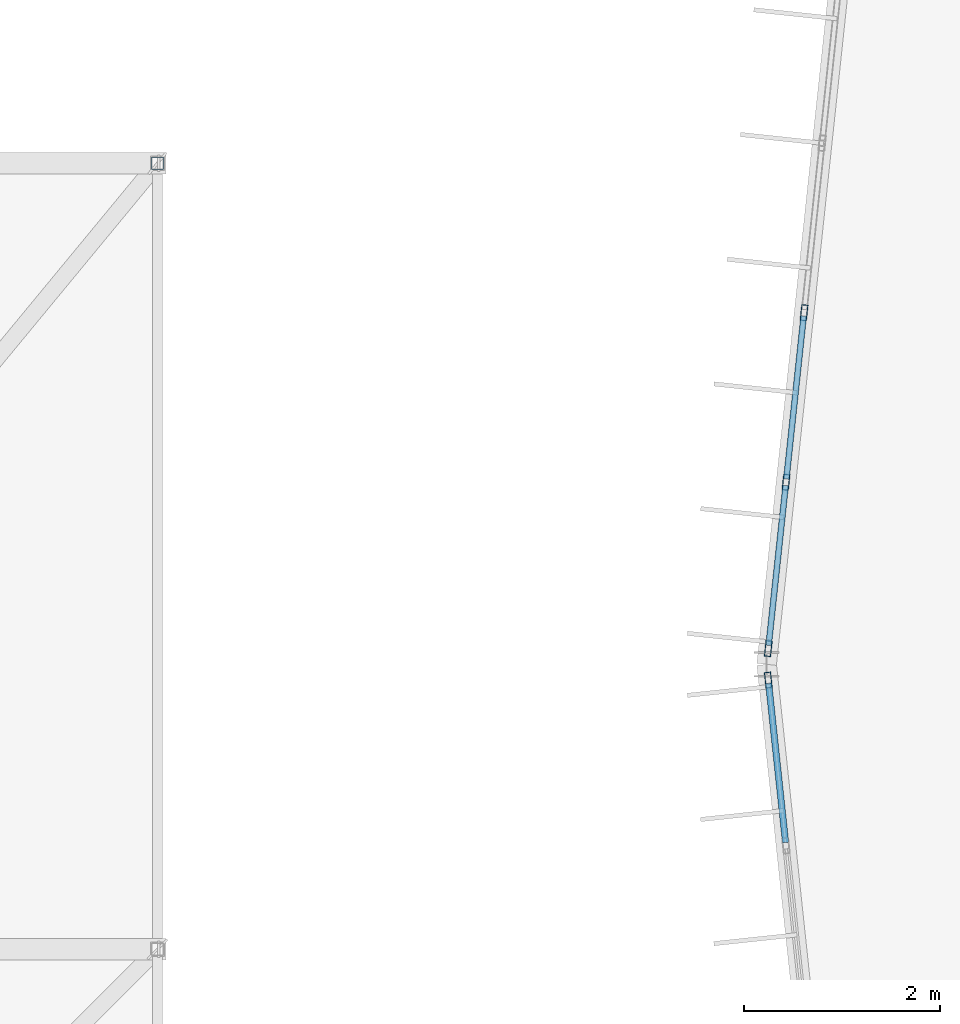
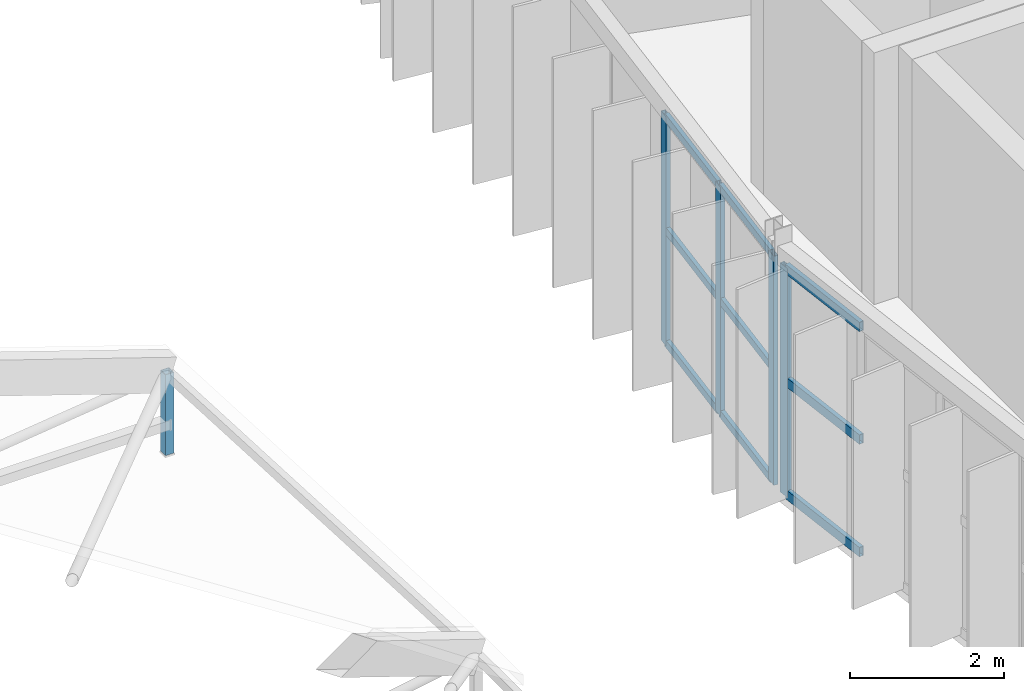
# One storey, part 38 of 134: 14 members, 2 elements without a shape of their own.
"""IFC4 building model written with IfcOpenShell, lengths in metres."""

from ifc_helpers import new_model, si_unit, direction, frame, origin, origin_2d, place, context, subcontext, project, spatial, hollow_rectangle, extrude, material, material_profile, profile_set, type_object, element, aggregate, save


model = new_model("IFC4")

# Units and contexts
model_context = context("Model", 3, precision=1e-05, world=origin(), true_north=direction((0.0, 1.0)))
body_context = subcontext(model_context, "Body", "Model", "MODEL_VIEW")
ifc_project = project(units=[si_unit("LENGTHUNIT", "METRE"), si_unit("AREAUNIT", "SQUARE_METRE"), si_unit("VOLUMEUNIT", "CUBIC_METRE"), si_unit("PLANEANGLEUNIT", "RADIAN"), si_unit("MASSUNIT", "GRAM", prefix="KILO")], contexts=[model_context])

# Site, building, storey
site_placement = place(None, origin())
site = spatial("IfcSite", under=ifc_project, at=site_placement, CompositionType="ELEMENT")
building_placement = place(site_placement, origin())
building = spatial("IfcBuilding", under=site, at=building_placement, Name="Karori Crest Natural Sciences Institute", CompositionType="ELEMENT")
storey_placement = place(building_placement, frame((0.0, 0.0, 21.699951171875)))
storey = spatial("IfcBuildingStorey", under=building, at=storey_placement, Name="L05", CompositionType="ELEMENT", Elevation=21.699951171875)

# Curtain wall, members
ifc_material_1 = material(Name="Anodised architectural aluminium 6063-T6", Category="aluminium")
curtain_wall_type_1 = type_object("IfcCurtainWallType", Name="CWT-02", PredefinedType="NOTDEFINED", material=ifc_material_1)
curtain_wall_1_placement = place(storey_placement, origin())
curtain_wall_1 = element("IfcCurtainWall", 1, at=curtain_wall_1_placement, inside=storey, type_object=curtain_wall_type_1, Name="Curtain wall CW-0189", PredefinedType="NOTDEFINED")
ifc_material_profile_1 = material_profile(ifc_material_1, hollow_rectangle(XDim=0.06494140625, YDim=0.159912109375, WallThickness=0.00390625, at=origin_2d()), Name="CWM160x65x4")
ifc_profile_set_1 = profile_set([ifc_material_profile_1], Name="Anodised architectural aluminium 6063-T6")
member_type_1 = type_object("IfcMemberType", Name="CWM-01", PredefinedType="MULLION", material=ifc_profile_set_1)
member_1_placement = place(storey_placement, frame((33.4169921875, 50.060302734375, 0.0), z_axis=(0.0, 0.0, 1.0), x_axis=(-0.994378309998, 0.105885677057, 0.0)))
member_1 = element("IfcMember", 2, at=member_1_placement, type_object=member_type_1, Name="CW-0189 mullion 1", PredefinedType="MULLION", context=body_context, shape_type="SweptSolid", body=[
    extrude(hollow_rectangle(XDim=0.06494140625, YDim=0.159912109375, WallThickness=0.00390625, at=origin_2d()), origin(), (0.0, 0.0, 1.0), 3.625),
])
member_2_placement = place(storey_placement, frame((33.597412109375, 51.75341796875, 0.0), z_axis=(0.0, 0.0, 1.0), x_axis=(-0.994378309998, 0.105885677057, 0.0)))
member_2 = element("IfcMember", 3, at=member_2_placement, type_object=member_type_1, Name="CW-0189 mullion 2", PredefinedType="MULLION", context=body_context, shape_type="SweptSolid", body=[
    extrude(hollow_rectangle(XDim=0.06494140625, YDim=0.159912109375, WallThickness=0.00390625, at=origin_2d()), origin(), (0.0, 0.0, 1.0), 3.625),
])
member_3_placement = place(storey_placement, frame((33.781005859375, 53.47900390625, 0.0), z_axis=(0.0, 0.0, 1.0), x_axis=(-0.994378309998, 0.105885677057, 0.0)))
member_3 = element("IfcMember", 4, at=member_3_placement, type_object=member_type_1, Name="CW-0189 mullion 3", PredefinedType="MULLION", context=body_context, shape_type="SweptSolid", body=[
    extrude(hollow_rectangle(XDim=0.06494140625, YDim=0.159912109375, WallThickness=0.00390625, at=origin_2d()), origin(), (0.0, 0.0, 1.0), 3.625),
])

# Curtain wall, member
curtain_wall_type_2 = type_object("IfcCurtainWallType", Name="CWT-03", PredefinedType="NOTDEFINED", material=ifc_material_1)
curtain_wall_2_placement = place(storey_placement, origin())
curtain_wall_2 = element("IfcCurtainWall", 5, at=curtain_wall_2_placement, inside=storey, type_object=curtain_wall_type_2, Name="Curtain wall CW-0190", PredefinedType="NOTDEFINED")
member_4_placement = place(storey_placement, frame((33.4169921875, 49.73974609375, 0.0), z_axis=(0.0, 0.0, 1.0), x_axis=(-0.994378435661, -0.105884496939, 0.0)))
member_4 = element("IfcMember", 6, at=member_4_placement, type_object=member_type_1, Name="CW-0190 mullion 7", PredefinedType="MULLION", context=body_context, shape_type="SweptSolid", body=[
    extrude(hollow_rectangle(XDim=0.06494140625, YDim=0.159912109375, WallThickness=0.00390625, at=origin_2d()), origin(), (0.0, 0.0, 1.0), 3.625),
])

# Member
ifc_material_profile_2 = material_profile(ifc_material_1, hollow_rectangle(XDim=0.06005859375, YDim=0.1201171875, WallThickness=0.00390625, at=origin_2d()), Name="CWT120x60x4")
ifc_profile_set_2 = profile_set([ifc_material_profile_2], Name="Anodised architectural aluminium 6063-T6")
member_type_2 = type_object("IfcMemberType", Name="CWT-TR1", PredefinedType="USERDEFINED", material=ifc_profile_set_2)
member_5_placement = place(storey_placement, frame((33.42041015625, 50.092529296875, 0.030029296875), z_axis=(0.1059804823, 0.994368210157, 0.0), x_axis=(-0.994368210157, 0.1059804823, 0.0)))
member_5 = element("IfcMember", 7, at=member_5_placement, type_object=member_type_2, Name="CW-0189 transom 1.1", ObjectType="TRANSOM", PredefinedType="USERDEFINED", context=body_context, shape_type="SweptSolid", body=[
    extrude(hollow_rectangle(XDim=0.06005859375, YDim=0.1201171875, WallThickness=0.00390625, at=origin_2d()), origin(), (0.0, 0.0, 1.0), 1.637939453125),
])

member_6_placement = place(storey_placement, frame((33.42041015625, 50.092529296875, 1.8125), z_axis=(0.1059804823, 0.994368210157, 0.0), x_axis=(-0.994368210157, 0.1059804823, 0.0)))
member_6 = element("IfcMember", 8, at=member_6_placement, type_object=member_type_2, Name="CW-0189 transom 1.2", ObjectType="TRANSOM", PredefinedType="USERDEFINED", context=body_context, shape_type="SweptSolid", body=[
    extrude(hollow_rectangle(XDim=0.06005859375, YDim=0.1201171875, WallThickness=0.00390625, at=origin_2d()), origin(), (0.0, 0.0, 1.0), 1.637939453125),
])

member_7_placement = place(storey_placement, frame((33.42041015625, 50.092529296875, 3.594970703125), z_axis=(0.1059804823, 0.994368210157, 0.0), x_axis=(-0.994368210157, 0.1059804823, 0.0)))
member_7 = element("IfcMember", 9, at=member_7_placement, type_object=member_type_2, Name="CW-0189 transom 1.3", ObjectType="TRANSOM", PredefinedType="USERDEFINED", context=body_context, shape_type="SweptSolid", body=[
    extrude(hollow_rectangle(XDim=0.06005859375, YDim=0.1201171875, WallThickness=0.00390625, at=origin_2d()), origin(), (0.0, 0.0, 1.0), 1.637939453125),
])

member_8_placement = place(storey_placement, frame((33.600830078125, 51.785888671875, 0.030029296875), z_axis=(0.105841415473, 0.994383022165, 0.0), x_axis=(-0.994383022165, 0.105841415473, 0.0)))
member_8 = element("IfcMember", 10, at=member_8_placement, type_object=member_type_2, Name="CW-0189 transom 2.1", ObjectType="TRANSOM", PredefinedType="USERDEFINED", context=body_context, shape_type="SweptSolid", body=[
    extrude(hollow_rectangle(XDim=0.06005859375, YDim=0.1201171875, WallThickness=0.00390625, at=origin_2d()), origin(), (0.0, 0.0, 1.0), 1.669921875),
])

member_9_placement = place(storey_placement, frame((33.600830078125, 51.785888671875, 1.8125), z_axis=(0.105841415473, 0.994383022165, 0.0), x_axis=(-0.994383022165, 0.105841415473, 0.0)))
member_9 = element("IfcMember", 11, at=member_9_placement, type_object=member_type_2, Name="CW-0189 transom 2.2", ObjectType="TRANSOM", PredefinedType="USERDEFINED", context=body_context, shape_type="SweptSolid", body=[
    extrude(hollow_rectangle(XDim=0.06005859375, YDim=0.1201171875, WallThickness=0.00390625, at=origin_2d()), origin(), (0.0, 0.0, 1.0), 1.669921875),
])

member_10_placement = place(storey_placement, frame((33.600830078125, 51.785888671875, 3.594970703125), z_axis=(0.105841415473, 0.994383022165, 0.0), x_axis=(-0.994383022165, 0.105841415473, 0.0)))
member_10 = element("IfcMember", 12, at=member_10_placement, type_object=member_type_2, Name="CW-0189 transom 2.3", ObjectType="TRANSOM", PredefinedType="USERDEFINED", context=body_context, shape_type="SweptSolid", body=[
    extrude(hollow_rectangle(XDim=0.06005859375, YDim=0.1201171875, WallThickness=0.00390625, at=origin_2d()), origin(), (0.0, 0.0, 1.0), 1.669921875),
])

aggregate(curtain_wall_1, [member_1, member_2, member_3, member_5, member_6, member_7, member_8, member_9, member_10])

ifc_material_profile_3 = material_profile(ifc_material_1, hollow_rectangle(XDim=0.06494140625, YDim=0.14990234375, WallThickness=0.00390625, at=origin_2d()), Name="CWT150x65x4")
ifc_profile_set_3 = profile_set([ifc_material_profile_3], Name="Anodised architectural aluminium 6063-T6")
member_type_3 = type_object("IfcMemberType", Name="CWT-TR2", PredefinedType="USERDEFINED", material=ifc_profile_set_3)
member_11_placement = place(storey_placement, frame((33.593017578125, 48.08642578125, 0.032470703125), z_axis=(-0.105893191658, 0.994377509782, 0.0), x_axis=(-0.994377509782, -0.105893191658, 0.0)))
member_11 = element("IfcMember", 13, at=member_11_placement, type_object=member_type_3, Name="CW-0190 transom 6.1", ObjectType="TRANSOM", PredefinedType="USERDEFINED", context=body_context, shape_type="SweptSolid", body=[
    extrude(hollow_rectangle(XDim=0.06494140625, YDim=0.14990234375, WallThickness=0.00390625, at=origin_2d()), origin(), (0.0, 0.0, 1.0), 1.630126953125),
])

member_12_placement = place(storey_placement, frame((33.593017578125, 48.08642578125, 1.8125), z_axis=(-0.105893191658, 0.994377509782, 0.0), x_axis=(-0.994377509782, -0.105893191658, 0.0)))
member_12 = element("IfcMember", 14, at=member_12_placement, type_object=member_type_3, Name="CW-0190 transom 6.2", ObjectType="TRANSOM", PredefinedType="USERDEFINED", context=body_context, shape_type="SweptSolid", body=[
    extrude(hollow_rectangle(XDim=0.06494140625, YDim=0.14990234375, WallThickness=0.00390625, at=origin_2d()), origin(), (0.0, 0.0, 1.0), 1.630126953125),
])

member_13_placement = place(storey_placement, frame((33.593017578125, 48.08642578125, 3.592529296875), z_axis=(-0.105893191658, 0.994377509782, 0.0), x_axis=(-0.994377509782, -0.105893191658, 0.0)))
member_13 = element("IfcMember", 15, at=member_13_placement, type_object=member_type_3, Name="CW-0190 transom 6.3", ObjectType="TRANSOM", PredefinedType="USERDEFINED", context=body_context, shape_type="SweptSolid", body=[
    extrude(hollow_rectangle(XDim=0.06494140625, YDim=0.14990234375, WallThickness=0.00390625, at=origin_2d()), origin(), (0.0, 0.0, 1.0), 1.630126953125),
])

aggregate(curtain_wall_2, [member_4, member_11, member_12, member_13])

ifc_material_2 = material(Name="Hollow structural steel AS/NZS 1163 Grade C350", Category="steel")
ifc_material_profile_4 = material_profile(ifc_material_2, hollow_rectangle(XDim=0.125, YDim=0.125, WallThickness=0.006103515625, at=origin_2d()), Name="SHS125x125x6")
ifc_profile_set_4 = profile_set([ifc_material_profile_4], Name="Hollow structural steel AS/NZS 1163 Grade C350")
member_type_4 = type_object("IfcMemberType", Name="MT-20", PredefinedType="STRUT", material=ifc_profile_set_4)
member_14_placement = place(storey_placement, frame((27.199951171875, 55.0, -0.349853515625), z_axis=(0.0, 0.0, 1.0), x_axis=(1.0, 0.0, 0.0)))
element("IfcMember", 16, at=member_14_placement, inside=storey, type_object=member_type_4, Name="Member M-0416", PredefinedType="STRUT", context=body_context, shape_type="SweptSolid", body=[
    extrude(hollow_rectangle(XDim=0.125, YDim=0.125, WallThickness=0.006103515625, at=origin_2d()), origin(), (0.0, 0.0, 1.0), 1.27978515625),
])

save(model, "model.ifc")
